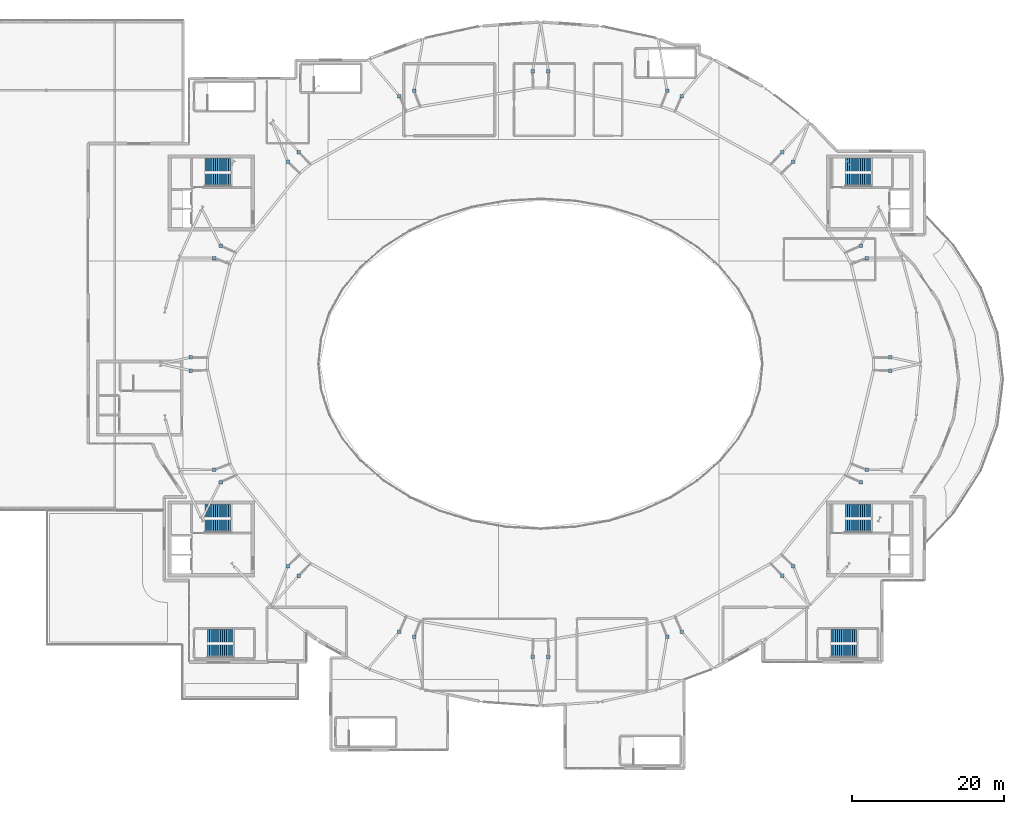
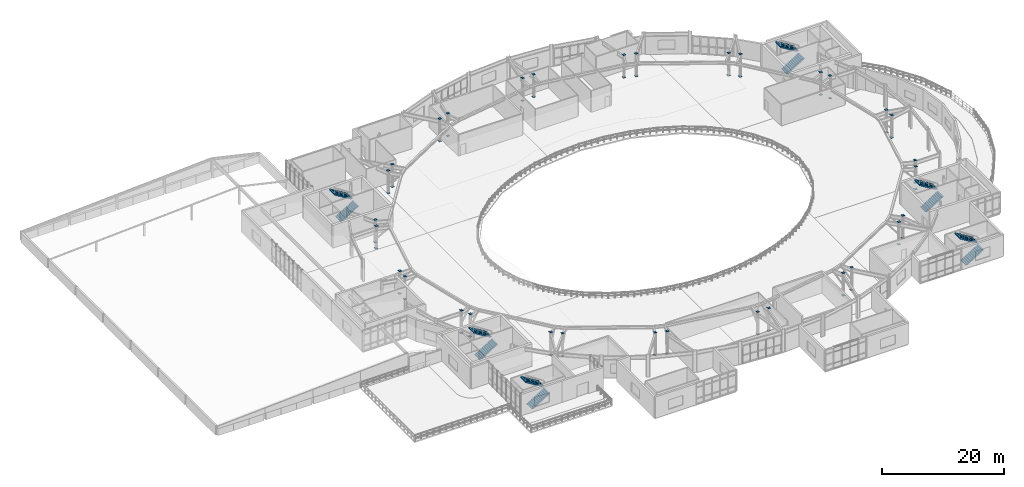
# One storey, part 43 of 48: 64 discrete accessories, 12 stair flights, 6 elements without a shape of their own.
"""IFC4 building model written with IfcOpenShell, lengths in metres."""

from ifc_helpers import new_model, si_unit, direction, frame, origin, origin_2d, place, context, subcontext, project, spatial, polyline, rectangle, outline, extrude, material, type_object, element, aggregate, save


model = new_model("IFC4")

# Units and contexts
model_context = context("Model", 3, precision=1e-05, world=origin(), true_north=direction((0.0, 1.0)))
body_context = subcontext(model_context, "Body", "Model", "MODEL_VIEW")
ifc_project = project(units=[si_unit("LENGTHUNIT", "METRE"), si_unit("AREAUNIT", "SQUARE_METRE"), si_unit("VOLUMEUNIT", "CUBIC_METRE"), si_unit("PLANEANGLEUNIT", "RADIAN"), si_unit("MASSUNIT", "GRAM", prefix="KILO")], contexts=[model_context])

# Site, building, storey
site_placement = place(None, origin())
site = spatial("IfcSite", under=ifc_project, at=site_placement, CompositionType="ELEMENT")
building_placement = place(site_placement, origin())
building = spatial("IfcBuilding", under=site, at=building_placement, Name="Glasvene Arena", CompositionType="ELEMENT")
storey_placement = place(building_placement, frame((0.0, 0.0, 19.5)))
storey = spatial("IfcBuildingStorey", under=building, at=storey_placement, Name="L04", CompositionType="ELEMENT", Elevation=19.5)

# Stair, stair flights
ifc_material_1 = material(Name="Concrete C40/50", Category="concrete")
stair_type = type_object("IfcStairType", Name="ST-HT-450-170", PredefinedType="HALF_TURN_STAIR", material=ifc_material_1)
stair_1_placement = place(storey_placement, origin())
stair_1 = element("IfcStair", 1, at=stair_1_placement, inside=storey, type_object=stair_type, Name="Protected escape stair ST-01 (L04 to L05)", PredefinedType="HALF_TURN_STAIR")
stair_flight_type = type_object("IfcStairFlightType", Name="SF-HT-450-170", PredefinedType="STRAIGHT", material=ifc_material_1)
stair_flight_1_placement = place(storey_placement, frame((47.85009765625, 97.199951171875, 0.0), z_axis=(0.0, 0.0, 1.0), x_axis=(1.0, 0.0, 0.0)))
stair_flight_1 = element("IfcStairFlight", 2, at=stair_flight_1_placement, type_object=stair_flight_type, Name="Protected escape stair ST-01 (L04 to L05) flight 1", NumberOfRisers=13, NumberOfTreads=12, PredefinedType="STRAIGHT", RiserHeight=0.173077, TreadLength=0.28, context=body_context, shape_type="SweptSolid", body=[
    extrude(outline(polyline([(0.0, 0.0), (0.0, 0.173095703125), (0.280029296875, 0.173095703125), (0.280029296875, 0.34619140625), (0.56005859375, 0.34619140625), (0.56005859375, 0.519287109375), (0.840087890625, 0.519287109375), (0.840087890625, 0.6923828125), (1.1201171875, 0.6923828125), (1.1201171875, 0.865478515625), (1.39990234375, 0.865478515625), (1.39990234375, 1.03857421875), (1.679931640625, 1.03857421875), (1.679931640625, 1.21142578125), (1.9599609375, 1.21142578125), (1.9599609375, 1.384521484375), (2.239990234375, 1.384521484375), (2.239990234375, 1.5576171875), (2.52001953125, 1.5576171875), (2.52001953125, 1.730712890625), (2.800048828125, 1.730712890625), (2.800048828125, 1.90380859375), (3.080078125, 1.90380859375), (3.080078125, 2.076904296875), (3.360107421875, 2.076904296875), (3.360107421875, 2.25), (3.360107421875, 1.841796875), (0.38037109375, 0.0), (0.0, 0.0)])), frame((0.0, 0.85009765625, 0.0), z_axis=(0.0, -1.0, 0.0), x_axis=(1.0, 0.0, 0.0)), (0.0, 0.0, 1.0), 1.699951171875),
])
stair_flight_2_placement = place(storey_placement, frame((51.2099609375, 99.14990234375, 2.25), z_axis=(0.0, 0.0, 1.0), x_axis=(-1.0, 0.0, 0.0)))
stair_flight_2 = element("IfcStairFlight", 3, at=stair_flight_2_placement, type_object=stair_flight_type, Name="Protected escape stair ST-01 (L04 to L05) flight 2", NumberOfRisers=13, NumberOfTreads=12, PredefinedType="STRAIGHT", RiserHeight=0.173077, TreadLength=0.28, context=body_context, shape_type="SweptSolid", body=[
    extrude(outline(polyline([(0.0, 0.0), (0.0, 0.173095703125), (0.280029296875, 0.173095703125), (0.280029296875, 0.34619140625), (0.56005859375, 0.34619140625), (0.56005859375, 0.519287109375), (0.840087890625, 0.519287109375), (0.840087890625, 0.6923828125), (1.1201171875, 0.6923828125), (1.1201171875, 0.865478515625), (1.39990234375, 0.865478515625), (1.39990234375, 1.03857421875), (1.679931640625, 1.03857421875), (1.679931640625, 1.21142578125), (1.9599609375, 1.21142578125), (1.9599609375, 1.384521484375), (2.239990234375, 1.384521484375), (2.239990234375, 1.5576171875), (2.52001953125, 1.5576171875), (2.52001953125, 1.730712890625), (2.800048828125, 1.730712890625), (2.800048828125, 1.90380859375), (3.080078125, 1.90380859375), (3.080078125, 2.076904296875), (3.360107421875, 2.076904296875), (3.360107421875, 2.25), (3.360107421875, 1.841796875), (0.38037109375, 0.0), (0.0, 0.0)])), frame((0.0, 0.85009765625, 0.0), z_axis=(0.0, -1.0, 0.0), x_axis=(1.0, 0.0, 0.0)), (0.0, 0.0, 1.0), 1.699951171875),
])
aggregate(stair_1, [stair_flight_1, stair_flight_2])

stair_2_placement = place(storey_placement, origin())
stair_2 = element("IfcStair", 4, at=stair_2_placement, inside=storey, type_object=stair_type, Name="Protected escape stair ST-02 (L04 to L05)", PredefinedType="HALF_TURN_STAIR")
stair_flight_3_placement = place(storey_placement, frame((132.10009765625, 97.199951171875, 0.0), z_axis=(0.0, 0.0, 1.0), x_axis=(1.0, 0.0, 0.0)))
stair_flight_3 = element("IfcStairFlight", 5, at=stair_flight_3_placement, type_object=stair_flight_type, Name="Protected escape stair ST-02 (L04 to L05) flight 1", NumberOfRisers=13, NumberOfTreads=12, PredefinedType="STRAIGHT", RiserHeight=0.173077, TreadLength=0.28, context=body_context, shape_type="SweptSolid", body=[
    extrude(outline(polyline([(0.0, 0.0), (0.0, 0.173095703125), (0.280029296875, 0.173095703125), (0.280029296875, 0.34619140625), (0.56005859375, 0.34619140625), (0.56005859375, 0.519287109375), (0.840087890625, 0.519287109375), (0.840087890625, 0.6923828125), (1.1201171875, 0.6923828125), (1.1201171875, 0.865478515625), (1.39990234375, 0.865478515625), (1.39990234375, 1.03857421875), (1.679931640625, 1.03857421875), (1.679931640625, 1.21142578125), (1.9599609375, 1.21142578125), (1.9599609375, 1.384521484375), (2.239990234375, 1.384521484375), (2.239990234375, 1.5576171875), (2.52001953125, 1.5576171875), (2.52001953125, 1.730712890625), (2.800048828125, 1.730712890625), (2.800048828125, 1.90380859375), (3.080078125, 1.90380859375), (3.080078125, 2.076904296875), (3.360107421875, 2.076904296875), (3.360107421875, 2.25), (3.360107421875, 1.841796875), (0.38037109375, 0.0), (0.0, 0.0)])), frame((0.0, 0.85009765625, 0.0), z_axis=(0.0, -1.0, 0.0), x_axis=(1.0, 0.0, 0.0)), (0.0, 0.0, 1.0), 1.699951171875),
])
stair_flight_4_placement = place(storey_placement, frame((135.4599609375, 99.14990234375, 2.25), z_axis=(0.0, 0.0, 1.0), x_axis=(-1.0, 0.0, 0.0)))
stair_flight_4 = element("IfcStairFlight", 6, at=stair_flight_4_placement, type_object=stair_flight_type, Name="Protected escape stair ST-02 (L04 to L05) flight 2", NumberOfRisers=13, NumberOfTreads=12, PredefinedType="STRAIGHT", RiserHeight=0.173077, TreadLength=0.28, context=body_context, shape_type="SweptSolid", body=[
    extrude(outline(polyline([(0.0, 0.0), (0.0, 0.173095703125), (0.280029296875, 0.173095703125), (0.280029296875, 0.34619140625), (0.56005859375, 0.34619140625), (0.56005859375, 0.519287109375), (0.840087890625, 0.519287109375), (0.840087890625, 0.6923828125), (1.1201171875, 0.6923828125), (1.1201171875, 0.865478515625), (1.39990234375, 0.865478515625), (1.39990234375, 1.03857421875), (1.679931640625, 1.03857421875), (1.679931640625, 1.21142578125), (1.9599609375, 1.21142578125), (1.9599609375, 1.384521484375), (2.239990234375, 1.384521484375), (2.239990234375, 1.5576171875), (2.52001953125, 1.5576171875), (2.52001953125, 1.730712890625), (2.800048828125, 1.730712890625), (2.800048828125, 1.90380859375), (3.080078125, 1.90380859375), (3.080078125, 2.076904296875), (3.360107421875, 2.076904296875), (3.360107421875, 2.25), (3.360107421875, 1.841796875), (0.38037109375, 0.0), (0.0, 0.0)])), frame((0.0, 0.85009765625, 0.0), z_axis=(0.0, -1.0, 0.0), x_axis=(1.0, 0.0, 0.0)), (0.0, 0.0, 1.0), 1.699951171875),
])
aggregate(stair_2, [stair_flight_3, stair_flight_4])

stair_3_placement = place(storey_placement, origin())
stair_3 = element("IfcStair", 7, at=stair_3_placement, inside=storey, type_object=stair_type, Name="Protected escape stair ST-03 (L04 to L05)", PredefinedType="HALF_TURN_STAIR")
stair_flight_5_placement = place(storey_placement, frame((47.85009765625, 51.699951171875, 0.0), z_axis=(0.0, 0.0, 1.0), x_axis=(1.0, 0.0, 0.0)))
stair_flight_5 = element("IfcStairFlight", 8, at=stair_flight_5_placement, type_object=stair_flight_type, Name="Protected escape stair ST-03 (L04 to L05) flight 1", NumberOfRisers=13, NumberOfTreads=12, PredefinedType="STRAIGHT", RiserHeight=0.173077, TreadLength=0.28, context=body_context, shape_type="SweptSolid", body=[
    extrude(outline(polyline([(0.0, 0.0), (0.0, 0.173095703125), (0.280029296875, 0.173095703125), (0.280029296875, 0.34619140625), (0.56005859375, 0.34619140625), (0.56005859375, 0.519287109375), (0.840087890625, 0.519287109375), (0.840087890625, 0.6923828125), (1.1201171875, 0.6923828125), (1.1201171875, 0.865478515625), (1.39990234375, 0.865478515625), (1.39990234375, 1.03857421875), (1.679931640625, 1.03857421875), (1.679931640625, 1.21142578125), (1.9599609375, 1.21142578125), (1.9599609375, 1.384521484375), (2.239990234375, 1.384521484375), (2.239990234375, 1.5576171875), (2.52001953125, 1.5576171875), (2.52001953125, 1.730712890625), (2.800048828125, 1.730712890625), (2.800048828125, 1.90380859375), (3.080078125, 1.90380859375), (3.080078125, 2.076904296875), (3.360107421875, 2.076904296875), (3.360107421875, 2.25), (3.360107421875, 1.841796875), (0.38037109375, 0.0), (0.0, 0.0)])), frame((0.0, 0.85009765625, 0.0), z_axis=(0.0, -1.0, 0.0), x_axis=(1.0, 0.0, 0.0)), (0.0, 0.0, 1.0), 1.699951171875),
])
stair_flight_6_placement = place(storey_placement, frame((51.2099609375, 53.64990234375, 2.25), z_axis=(0.0, 0.0, 1.0), x_axis=(-1.0, 0.0, 0.0)))
stair_flight_6 = element("IfcStairFlight", 9, at=stair_flight_6_placement, type_object=stair_flight_type, Name="Protected escape stair ST-03 (L04 to L05) flight 2", NumberOfRisers=13, NumberOfTreads=12, PredefinedType="STRAIGHT", RiserHeight=0.173077, TreadLength=0.28, context=body_context, shape_type="SweptSolid", body=[
    extrude(outline(polyline([(0.0, 0.0), (0.0, 0.173095703125), (0.280029296875, 0.173095703125), (0.280029296875, 0.34619140625), (0.56005859375, 0.34619140625), (0.56005859375, 0.519287109375), (0.840087890625, 0.519287109375), (0.840087890625, 0.6923828125), (1.1201171875, 0.6923828125), (1.1201171875, 0.865478515625), (1.39990234375, 0.865478515625), (1.39990234375, 1.03857421875), (1.679931640625, 1.03857421875), (1.679931640625, 1.21142578125), (1.9599609375, 1.21142578125), (1.9599609375, 1.384521484375), (2.239990234375, 1.384521484375), (2.239990234375, 1.5576171875), (2.52001953125, 1.5576171875), (2.52001953125, 1.730712890625), (2.800048828125, 1.730712890625), (2.800048828125, 1.90380859375), (3.080078125, 1.90380859375), (3.080078125, 2.076904296875), (3.360107421875, 2.076904296875), (3.360107421875, 2.25), (3.360107421875, 1.841796875), (0.38037109375, 0.0), (0.0, 0.0)])), frame((0.0, 0.85009765625, 0.0), z_axis=(0.0, -1.0, 0.0), x_axis=(1.0, 0.0, 0.0)), (0.0, 0.0, 1.0), 1.699951171875),
])
aggregate(stair_3, [stair_flight_5, stair_flight_6])

stair_4_placement = place(storey_placement, origin())
stair_4 = element("IfcStair", 10, at=stair_4_placement, inside=storey, type_object=stair_type, Name="Protected escape stair ST-04 (L04 to L05)", PredefinedType="HALF_TURN_STAIR")
stair_flight_7_placement = place(storey_placement, frame((132.10009765625, 51.699951171875, 0.0), z_axis=(0.0, 0.0, 1.0), x_axis=(1.0, 0.0, 0.0)))
stair_flight_7 = element("IfcStairFlight", 11, at=stair_flight_7_placement, type_object=stair_flight_type, Name="Protected escape stair ST-04 (L04 to L05) flight 1", NumberOfRisers=13, NumberOfTreads=12, PredefinedType="STRAIGHT", RiserHeight=0.173077, TreadLength=0.28, context=body_context, shape_type="SweptSolid", body=[
    extrude(outline(polyline([(0.0, 0.0), (0.0, 0.173095703125), (0.280029296875, 0.173095703125), (0.280029296875, 0.34619140625), (0.56005859375, 0.34619140625), (0.56005859375, 0.519287109375), (0.840087890625, 0.519287109375), (0.840087890625, 0.6923828125), (1.1201171875, 0.6923828125), (1.1201171875, 0.865478515625), (1.39990234375, 0.865478515625), (1.39990234375, 1.03857421875), (1.679931640625, 1.03857421875), (1.679931640625, 1.21142578125), (1.9599609375, 1.21142578125), (1.9599609375, 1.384521484375), (2.239990234375, 1.384521484375), (2.239990234375, 1.5576171875), (2.52001953125, 1.5576171875), (2.52001953125, 1.730712890625), (2.800048828125, 1.730712890625), (2.800048828125, 1.90380859375), (3.080078125, 1.90380859375), (3.080078125, 2.076904296875), (3.360107421875, 2.076904296875), (3.360107421875, 2.25), (3.360107421875, 1.841796875), (0.38037109375, 0.0), (0.0, 0.0)])), frame((0.0, 0.85009765625, 0.0), z_axis=(0.0, -1.0, 0.0), x_axis=(1.0, 0.0, 0.0)), (0.0, 0.0, 1.0), 1.699951171875),
])
stair_flight_8_placement = place(storey_placement, frame((135.4599609375, 53.64990234375, 2.25), z_axis=(0.0, 0.0, 1.0), x_axis=(-1.0, 0.0, 0.0)))
stair_flight_8 = element("IfcStairFlight", 12, at=stair_flight_8_placement, type_object=stair_flight_type, Name="Protected escape stair ST-04 (L04 to L05) flight 2", NumberOfRisers=13, NumberOfTreads=12, PredefinedType="STRAIGHT", RiserHeight=0.173077, TreadLength=0.28, context=body_context, shape_type="SweptSolid", body=[
    extrude(outline(polyline([(0.0, 0.0), (0.0, 0.173095703125), (0.280029296875, 0.173095703125), (0.280029296875, 0.34619140625), (0.56005859375, 0.34619140625), (0.56005859375, 0.519287109375), (0.840087890625, 0.519287109375), (0.840087890625, 0.6923828125), (1.1201171875, 0.6923828125), (1.1201171875, 0.865478515625), (1.39990234375, 0.865478515625), (1.39990234375, 1.03857421875), (1.679931640625, 1.03857421875), (1.679931640625, 1.21142578125), (1.9599609375, 1.21142578125), (1.9599609375, 1.384521484375), (2.239990234375, 1.384521484375), (2.239990234375, 1.5576171875), (2.52001953125, 1.5576171875), (2.52001953125, 1.730712890625), (2.800048828125, 1.730712890625), (2.800048828125, 1.90380859375), (3.080078125, 1.90380859375), (3.080078125, 2.076904296875), (3.360107421875, 2.076904296875), (3.360107421875, 2.25), (3.360107421875, 1.841796875), (0.38037109375, 0.0), (0.0, 0.0)])), frame((0.0, 0.85009765625, 0.0), z_axis=(0.0, -1.0, 0.0), x_axis=(1.0, 0.0, 0.0)), (0.0, 0.0, 1.0), 1.699951171875),
])
aggregate(stair_4, [stair_flight_7, stair_flight_8])

stair_5_placement = place(storey_placement, origin())
stair_5 = element("IfcStair", 13, at=stair_5_placement, inside=storey, type_object=stair_type, Name="Protected escape stair ST-05 (L04 to L05)", PredefinedType="HALF_TURN_STAIR")
stair_flight_9_placement = place(storey_placement, frame((48.199951171875, 35.25, 0.0), z_axis=(0.0, 0.0, 1.0), x_axis=(1.0, 0.0, 0.0)))
stair_flight_9 = element("IfcStairFlight", 14, at=stair_flight_9_placement, type_object=stair_flight_type, Name="Protected escape stair ST-05 (L04 to L05) flight 1", NumberOfRisers=13, NumberOfTreads=12, PredefinedType="STRAIGHT", RiserHeight=0.173077, TreadLength=0.28, context=body_context, shape_type="SweptSolid", body=[
    extrude(outline(polyline([(0.0, 0.0), (0.0, 0.173095703125), (0.280029296875, 0.173095703125), (0.280029296875, 0.34619140625), (0.56005859375, 0.34619140625), (0.56005859375, 0.519287109375), (0.840087890625, 0.519287109375), (0.840087890625, 0.6923828125), (1.1201171875, 0.6923828125), (1.1201171875, 0.865478515625), (1.39990234375, 0.865478515625), (1.39990234375, 1.03857421875), (1.679931640625, 1.03857421875), (1.679931640625, 1.21142578125), (1.9599609375, 1.21142578125), (1.9599609375, 1.384521484375), (2.239990234375, 1.384521484375), (2.239990234375, 1.5576171875), (2.52001953125, 1.5576171875), (2.52001953125, 1.730712890625), (2.800048828125, 1.730712890625), (2.800048828125, 1.90380859375), (3.080078125, 1.90380859375), (3.080078125, 2.076904296875), (3.360107421875, 2.076904296875), (3.360107421875, 2.25), (3.360107421875, 1.841796875), (0.38037109375, 0.0), (0.0, 0.0)])), frame((0.0, 0.85009765625, 0.0), z_axis=(0.0, -1.0, 0.0), x_axis=(1.0, 0.0, 0.0)), (0.0, 0.0, 1.0), 1.699951171875),
])
stair_flight_10_placement = place(storey_placement, frame((51.56005859375, 37.199951171875, 2.25), z_axis=(0.0, 0.0, 1.0), x_axis=(-1.0, 0.0, 0.0)))
stair_flight_10 = element("IfcStairFlight", 15, at=stair_flight_10_placement, type_object=stair_flight_type, Name="Protected escape stair ST-05 (L04 to L05) flight 2", NumberOfRisers=13, NumberOfTreads=12, PredefinedType="STRAIGHT", RiserHeight=0.173077, TreadLength=0.28, context=body_context, shape_type="SweptSolid", body=[
    extrude(outline(polyline([(0.0, 0.0), (0.0, 0.173095703125), (0.280029296875, 0.173095703125), (0.280029296875, 0.34619140625), (0.56005859375, 0.34619140625), (0.56005859375, 0.519287109375), (0.840087890625, 0.519287109375), (0.840087890625, 0.6923828125), (1.1201171875, 0.6923828125), (1.1201171875, 0.865478515625), (1.39990234375, 0.865478515625), (1.39990234375, 1.03857421875), (1.679931640625, 1.03857421875), (1.679931640625, 1.21142578125), (1.9599609375, 1.21142578125), (1.9599609375, 1.384521484375), (2.239990234375, 1.384521484375), (2.239990234375, 1.5576171875), (2.52001953125, 1.5576171875), (2.52001953125, 1.730712890625), (2.800048828125, 1.730712890625), (2.800048828125, 1.90380859375), (3.080078125, 1.90380859375), (3.080078125, 2.076904296875), (3.360107421875, 2.076904296875), (3.360107421875, 2.25), (3.360107421875, 1.841796875), (0.38037109375, 0.0), (0.0, 0.0)])), frame((0.0, 0.85009765625, 0.0), z_axis=(0.0, -1.0, 0.0), x_axis=(1.0, 0.0, 0.0)), (0.0, 0.0, 1.0), 1.699951171875),
])
aggregate(stair_5, [stair_flight_9, stair_flight_10])

stair_6_placement = place(storey_placement, origin())
stair_6 = element("IfcStair", 16, at=stair_6_placement, inside=storey, type_object=stair_type, Name="Protected escape stair ST-06 (L04 to L05)", PredefinedType="HALF_TURN_STAIR")
stair_flight_11_placement = place(storey_placement, frame((130.199951171875, 35.25, 0.0), z_axis=(0.0, 0.0, 1.0), x_axis=(1.0, 0.0, 0.0)))
stair_flight_11 = element("IfcStairFlight", 17, at=stair_flight_11_placement, type_object=stair_flight_type, Name="Protected escape stair ST-06 (L04 to L05) flight 1", NumberOfRisers=13, NumberOfTreads=12, PredefinedType="STRAIGHT", RiserHeight=0.173077, TreadLength=0.28, context=body_context, shape_type="SweptSolid", body=[
    extrude(outline(polyline([(0.0, 0.0), (0.0, 0.173095703125), (0.280029296875, 0.173095703125), (0.280029296875, 0.34619140625), (0.56005859375, 0.34619140625), (0.56005859375, 0.519287109375), (0.840087890625, 0.519287109375), (0.840087890625, 0.6923828125), (1.1201171875, 0.6923828125), (1.1201171875, 0.865478515625), (1.39990234375, 0.865478515625), (1.39990234375, 1.03857421875), (1.679931640625, 1.03857421875), (1.679931640625, 1.21142578125), (1.9599609375, 1.21142578125), (1.9599609375, 1.384521484375), (2.239990234375, 1.384521484375), (2.239990234375, 1.5576171875), (2.52001953125, 1.5576171875), (2.52001953125, 1.730712890625), (2.800048828125, 1.730712890625), (2.800048828125, 1.90380859375), (3.080078125, 1.90380859375), (3.080078125, 2.076904296875), (3.360107421875, 2.076904296875), (3.360107421875, 2.25), (3.360107421875, 1.841796875), (0.38037109375, 0.0), (0.0, 0.0)])), frame((0.0, 0.85009765625, 0.0), z_axis=(0.0, -1.0, 0.0), x_axis=(1.0, 0.0, 0.0)), (0.0, 0.0, 1.0), 1.699951171875),
])
stair_flight_12_placement = place(storey_placement, frame((133.56005859375, 37.199951171875, 2.25), z_axis=(0.0, 0.0, 1.0), x_axis=(-1.0, 0.0, 0.0)))
stair_flight_12 = element("IfcStairFlight", 18, at=stair_flight_12_placement, type_object=stair_flight_type, Name="Protected escape stair ST-06 (L04 to L05) flight 2", NumberOfRisers=13, NumberOfTreads=12, PredefinedType="STRAIGHT", RiserHeight=0.173077, TreadLength=0.28, context=body_context, shape_type="SweptSolid", body=[
    extrude(outline(polyline([(0.0, 0.0), (0.0, 0.173095703125), (0.280029296875, 0.173095703125), (0.280029296875, 0.34619140625), (0.56005859375, 0.34619140625), (0.56005859375, 0.519287109375), (0.840087890625, 0.519287109375), (0.840087890625, 0.6923828125), (1.1201171875, 0.6923828125), (1.1201171875, 0.865478515625), (1.39990234375, 0.865478515625), (1.39990234375, 1.03857421875), (1.679931640625, 1.03857421875), (1.679931640625, 1.21142578125), (1.9599609375, 1.21142578125), (1.9599609375, 1.384521484375), (2.239990234375, 1.384521484375), (2.239990234375, 1.5576171875), (2.52001953125, 1.5576171875), (2.52001953125, 1.730712890625), (2.800048828125, 1.730712890625), (2.800048828125, 1.90380859375), (3.080078125, 1.90380859375), (3.080078125, 2.076904296875), (3.360107421875, 2.076904296875), (3.360107421875, 2.25), (3.360107421875, 1.841796875), (0.38037109375, 0.0), (0.0, 0.0)])), frame((0.0, 0.85009765625, 0.0), z_axis=(0.0, -1.0, 0.0), x_axis=(1.0, 0.0, 0.0)), (0.0, 0.0, 1.0), 1.699951171875),
])
aggregate(stair_6, [stair_flight_11, stair_flight_12])

# Discrete accessories
ifc_material_2 = material(Name="Steel S355J2", Category="steel")
discrete_accessory_type = type_object("IfcDiscreteAccessoryType", Name="ACC-CAP-CHS420", PredefinedType="USERDEFINED", material=ifc_material_2)
for number, where, z_axis, x_axis, name in (
    (19, (137.98828125, 73.87353515625, -0.01806640625), (0.0, 0.0, 1.0), (1.0, 0.0, 0.0), "Gondola column cap plate 01-1 BOT"),
    (20, (137.98828125, 73.87353515625, 4.498046875), (0.0, 0.0, 1.0), (1.0, 0.0, 0.0), "Gondola column cap plate 01-1 TOP"),
    (21, (134.886962890625, 86.922607421875, -0.01806640625), (0.0, 0.0, 1.0), (1.0, 0.0, 0.0), "Gondola column cap plate 01-2 BOT"),
    (22, (134.886962890625, 86.922607421875, 4.498046875), (0.0, 0.0, 1.0), (1.0, 0.0, 0.0), "Gondola column cap plate 01-2 TOP"),
    (23, (134.088134765625, 88.53662109375, -0.01806640625), (0.0, 0.0, 1.0), (1.0, 0.0, 0.0), "Gondola column cap plate 02-1 BOT"),
    (24, (134.088134765625, 88.53662109375, 4.498046875), (0.0, 0.0, 1.0), (1.0, 0.0, 0.0), "Gondola column cap plate 02-1 TOP"),
    (25, (125.256591796875, 99.59912109375, -0.01806640625), (0.0, 0.0, 1.0), (1.0, 0.0, 0.0), "Gondola column cap plate 02-2 BOT"),
    (26, (125.256591796875, 99.59912109375, 4.498046875), (0.0, 0.0, 1.0), (1.0, 0.0, 0.0), "Gondola column cap plate 02-2 TOP"),
    (27, (123.780517578125, 100.834228515625, -0.01806640625), (0.0, 0.0, 1.0), (1.0, 0.0, 0.0), "Gondola column cap plate 03-1 BOT"),
    (28, (123.780517578125, 100.834228515625, 4.498046875), (0.0, 0.0, 1.0), (1.0, 0.0, 0.0), "Gondola column cap plate 03-1 TOP"),
    (29, (110.56298828125, 108.225830078125, -0.01806640625), (0.0, 0.0, 1.0), (1.0, 0.0, 0.0), "Gondola column cap plate 03-2 BOT"),
    (30, (110.56298828125, 108.225830078125, 4.498046875), (0.0, 0.0, 1.0), (1.0, 0.0, 0.0), "Gondola column cap plate 03-2 TOP"),
    (31, (108.634765625, 108.89453125, -0.01806640625), (0.0, 0.0, 1.0), (1.0, 0.0, 0.0), "Gondola column cap plate 04-1 BOT"),
    (32, (108.634765625, 108.89453125, 4.498046875), (0.0, 0.0, 1.0), (1.0, 0.0, 0.0), "Gondola column cap plate 04-1 TOP"),
    (33, (93.043701171875, 111.489990234375, -0.01806640625), (0.0, 0.0, 1.0), (1.0, 0.0, 0.0), "Gondola column cap plate 04-2 BOT"),
    (34, (93.043701171875, 111.489990234375, 4.498046875), (0.0, 0.0, 1.0), (1.0, 0.0, 0.0), "Gondola column cap plate 04-2 TOP"),
    (35, (90.956298828125, 111.489990234375, -0.01806640625), (0.0, 0.0, 1.0), (1.0, 0.0, 0.0), "Gondola column cap plate 05-1 BOT"),
    (36, (90.956298828125, 111.489990234375, 4.498046875), (0.0, 0.0, 1.0), (1.0, 0.0, 0.0), "Gondola column cap plate 05-1 TOP"),
    (37, (75.365234375, 108.89453125, -0.01806640625), (0.0, 0.0, 1.0), (1.0, 0.0, 0.0), "Gondola column cap plate 05-2 BOT"),
    (38, (75.365234375, 108.89453125, 4.498046875), (0.0, 0.0, 1.0), (1.0, 0.0, 0.0), "Gondola column cap plate 05-2 TOP"),
    (39, (73.43701171875, 108.225830078125, -0.01806640625), (0.0, 0.0, 1.0), (1.0, 0.0, 0.0), "Gondola column cap plate 06-1 BOT"),
    (40, (73.43701171875, 108.225830078125, 4.498046875), (0.0, 0.0, 1.0), (1.0, 0.0, 0.0), "Gondola column cap plate 06-1 TOP"),
    (41, (60.219482421875, 100.834228515625, -0.01806640625), (0.0, 0.0, 1.0), (1.0, 0.0, 0.0), "Gondola column cap plate 06-2 BOT"),
    (42, (60.219482421875, 100.834228515625, 4.498046875), (0.0, 0.0, 1.0), (1.0, 0.0, 0.0), "Gondola column cap plate 06-2 TOP"),
    (43, (58.743408203125, 99.59912109375, -0.01806640625), (0.0, 0.0, 1.0), (1.0, 0.0, 0.0), "Gondola column cap plate 07-1 BOT"),
    (44, (58.743408203125, 99.59912109375, 4.498046875), (0.0, 0.0, 1.0), (1.0, 0.0, 0.0), "Gondola column cap plate 07-1 TOP"),
    (45, (49.911865234375, 88.53662109375, -0.01806640625), (0.0, 0.0, 1.0), (1.0, 0.0, 0.0), "Gondola column cap plate 07-2 BOT"),
    (46, (49.911865234375, 88.53662109375, 4.498046875), (0.0, 0.0, 1.0), (1.0, 0.0, 0.0), "Gondola column cap plate 07-2 TOP"),
    (47, (49.113037109375, 86.922607421875, -0.01806640625), (0.0, 0.0, 1.0), (1.0, 0.0, 0.0), "Gondola column cap plate 08-1 BOT"),
    (48, (49.113037109375, 86.922607421875, 4.498046875), (0.0, 0.0, 1.0), (1.0, 0.0, 0.0), "Gondola column cap plate 08-1 TOP"),
    (49, (46.01171875, 73.87353515625, -0.01806640625), (0.0, 0.0, 1.0), (1.0, 0.0, 0.0), "Gondola column cap plate 08-2 BOT"),
    (50, (46.01171875, 73.87353515625, 4.498046875), (0.0, 0.0, 1.0), (1.0, 0.0, 0.0), "Gondola column cap plate 08-2 TOP"),
    (51, (46.01171875, 72.12646484375, -0.01806640625), (0.0, 0.0, 1.0), (1.0, 0.0, 0.0), "Gondola column cap plate 09-1 BOT"),
    (52, (46.01171875, 72.12646484375, 4.498046875), (0.0, 0.0, 1.0), (1.0, 0.0, 0.0), "Gondola column cap plate 09-1 TOP"),
    (53, (49.113037109375, 59.077392578125, -0.01806640625), (0.0, 0.0, 1.0), (1.0, 0.0, 0.0), "Gondola column cap plate 09-2 BOT"),
    (54, (49.113037109375, 59.077392578125, 4.498046875), (0.0, 0.0, 1.0), (1.0, 0.0, 0.0), "Gondola column cap plate 09-2 TOP"),
    (55, (49.911865234375, 57.46337890625, -0.01806640625), (0.0, 0.0, 1.0), (1.0, 0.0, 0.0), "Gondola column cap plate 10-1 BOT"),
    (56, (49.911865234375, 57.46337890625, 4.498046875), (0.0, 0.0, 1.0), (1.0, 0.0, 0.0), "Gondola column cap plate 10-1 TOP"),
    (57, (58.743408203125, 46.40087890625, -0.01806640625), (0.0, 0.0, 1.0), (1.0, 0.0, 0.0), "Gondola column cap plate 10-2 BOT"),
    (58, (58.743408203125, 46.40087890625, 4.498046875), (0.0, 0.0, 1.0), (1.0, 0.0, 0.0), "Gondola column cap plate 10-2 TOP"),
    (59, (60.219482421875, 45.165771484375, -0.01806640625), (0.0, 0.0, 1.0), (1.0, 0.0, 0.0), "Gondola column cap plate 11-1 BOT"),
    (60, (60.219482421875, 45.165771484375, 4.498046875), (0.0, 0.0, 1.0), (1.0, 0.0, 0.0), "Gondola column cap plate 11-1 TOP"),
    (61, (73.43701171875, 37.774169921875, -0.01806640625), (0.0, 0.0, 1.0), (1.0, 0.0, 0.0), "Gondola column cap plate 11-2 BOT"),
    (62, (73.43701171875, 37.774169921875, 4.498046875), (0.0, 0.0, 1.0), (1.0, 0.0, 0.0), "Gondola column cap plate 11-2 TOP"),
    (63, (75.365234375, 37.10546875, -0.01806640625), (0.0, 0.0, 1.0), (1.0, 0.0, 0.0), "Gondola column cap plate 12-1 BOT"),
    (64, (75.365234375, 37.10546875, 4.498046875), (0.0, 0.0, 1.0), (1.0, 0.0, 0.0), "Gondola column cap plate 12-1 TOP"),
    (65, (90.956298828125, 34.510009765625, -0.01806640625), (0.0, 0.0, 1.0), (1.0, 0.0, 0.0), "Gondola column cap plate 12-2 BOT"),
    (66, (90.956298828125, 34.510009765625, 4.498046875), (0.0, 0.0, 1.0), (1.0, 0.0, 0.0), "Gondola column cap plate 12-2 TOP"),
    (67, (93.043701171875, 34.510009765625, -0.01806640625), (0.0, 0.0, 1.0), (1.0, 0.0, 0.0), "Gondola column cap plate 13-1 BOT"),
    (68, (93.043701171875, 34.510009765625, 4.498046875), (0.0, 0.0, 1.0), (1.0, 0.0, 0.0), "Gondola column cap plate 13-1 TOP"),
    (69, (108.634765625, 37.10546875, -0.01806640625), (0.0, 0.0, 1.0), (1.0, 0.0, 0.0), "Gondola column cap plate 13-2 BOT"),
    (70, (108.634765625, 37.10546875, 4.498046875), (0.0, 0.0, 1.0), (1.0, 0.0, 0.0), "Gondola column cap plate 13-2 TOP"),
    (71, (110.56298828125, 37.774169921875, -0.01806640625), (0.0, 0.0, 1.0), (1.0, 0.0, 0.0), "Gondola column cap plate 14-1 BOT"),
    (72, (110.56298828125, 37.774169921875, 4.498046875), (0.0, 0.0, 1.0), (1.0, 0.0, 0.0), "Gondola column cap plate 14-1 TOP"),
    (73, (123.780517578125, 45.165771484375, -0.01806640625), (0.0, 0.0, 1.0), (1.0, 0.0, 0.0), "Gondola column cap plate 14-2 BOT"),
    (74, (123.780517578125, 45.165771484375, 4.498046875), (0.0, 0.0, 1.0), (1.0, 0.0, 0.0), "Gondola column cap plate 14-2 TOP"),
    (75, (125.256591796875, 46.40087890625, -0.01806640625), (0.0, 0.0, 1.0), (1.0, 0.0, 0.0), "Gondola column cap plate 15-1 BOT"),
    (76, (125.256591796875, 46.40087890625, 4.498046875), (0.0, 0.0, 1.0), (1.0, 0.0, 0.0), "Gondola column cap plate 15-1 TOP"),
    (77, (134.088134765625, 57.46337890625, -0.01806640625), (0.0, 0.0, 1.0), (1.0, 0.0, 0.0), "Gondola column cap plate 15-2 BOT"),
    (78, (134.088134765625, 57.46337890625, 4.498046875), (0.0, 0.0, 1.0), (1.0, 0.0, 0.0), "Gondola column cap plate 15-2 TOP"),
    (79, (134.886962890625, 59.077392578125, -0.01806640625), (0.0, 0.0, 1.0), (1.0, 0.0, 0.0), "Gondola column cap plate 16-1 BOT"),
    (80, (134.886962890625, 59.077392578125, 4.498046875), (0.0, 0.0, 1.0), (1.0, 0.0, 0.0), "Gondola column cap plate 16-1 TOP"),
    (81, (137.98828125, 72.12646484375, -0.01806640625), (0.0, 0.0, 1.0), (1.0, 0.0, 0.0), "Gondola column cap plate 16-2 BOT"),
    (82, (137.98828125, 72.12646484375, 4.498046875), (0.0, 0.0, 1.0), (1.0, 0.0, 0.0), "Gondola column cap plate 16-2 TOP"),
):
    element("IfcDiscreteAccessory", number, at=place(storey_placement, frame(where, z_axis=z_axis, x_axis=x_axis)), inside=storey, type_object=discrete_accessory_type, Name=name, ObjectType="CAP PLATE", PredefinedType="USERDEFINED", context=body_context, shape_type="SweptSolid", body=[
        extrude(rectangle(XDim=0.4599609375, YDim=0.4599609375, at=origin_2d()), origin(), (0.0, 0.0, 1.0), 0.02001953125),
    ])

save(model, "model.ifc")
